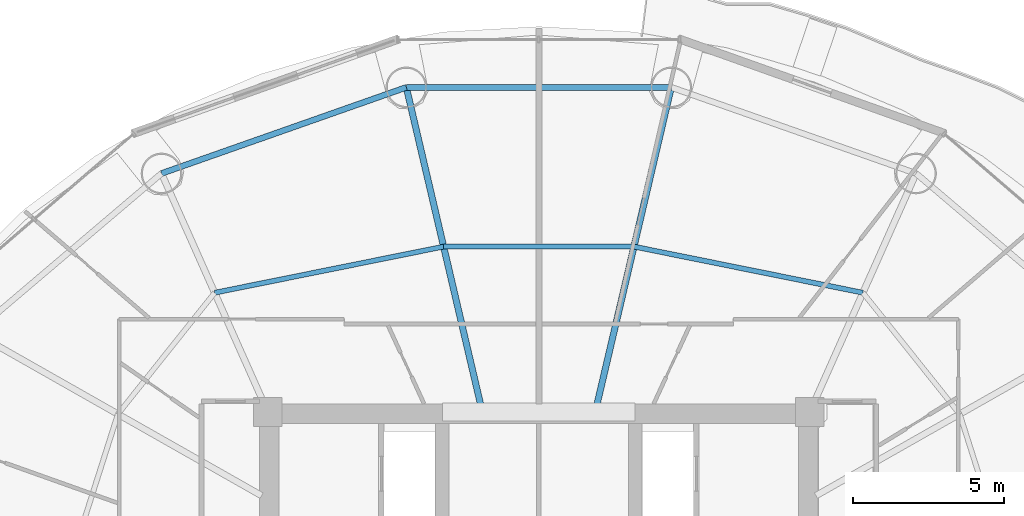
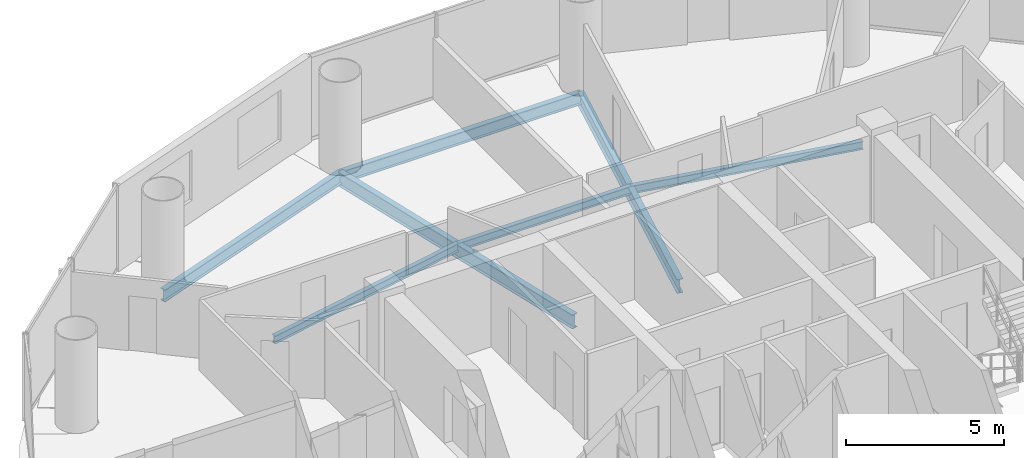
# One storey, part 15 of 26: 7 beams.
"""IFC4 building model written with IfcOpenShell, lengths in metres."""

from ifc_helpers import new_model, si_unit, direction, frame, origin, origin_2d, place, context, subcontext, project, spatial, i_section, extrude, material, material_profile, profile_set, type_object, element, save


model = new_model("IFC4")

# Units and contexts
model_context = context("Model", 3, precision=1e-05, world=origin(), true_north=direction((-0.2419218956, 0.970295726276)))
body_context = subcontext(model_context, "Body", "Model", "MODEL_VIEW")
ifc_project = project(units=[si_unit("LENGTHUNIT", "METRE"), si_unit("AREAUNIT", "SQUARE_METRE"), si_unit("VOLUMEUNIT", "CUBIC_METRE"), si_unit("PLANEANGLEUNIT", "RADIAN"), si_unit("MASSUNIT", "GRAM", prefix="KILO")], contexts=[model_context])

# Site, building, storey
site_placement = place(None, origin())
site = spatial("IfcSite", under=ifc_project, at=site_placement, CompositionType="ELEMENT")
building_placement = place(site_placement, origin())
building = spatial("IfcBuilding", under=site, at=building_placement, Name="Cobrevalo Terracotta Tower", CompositionType="ELEMENT")
storey_placement = place(building_placement, frame((0.0, 0.0, 135.39990234375)))
storey = spatial("IfcBuildingStorey", under=building, at=storey_placement, Name="L35", CompositionType="ELEMENT", Elevation=135.39990234375)

# Beams
ifc_material = material(Name="Steel S355", Category="steel")
ifc_material_profile_1 = material_profile(ifc_material, i_section(OverallWidth=0.2109375, OverallDepth=0.5390625, WebThickness=0.01171875, FlangeThickness=0.018798828125, at=origin_2d()), Name="W 530x109")
ifc_profile_set_1 = profile_set([ifc_material_profile_1], Name="Steel S355")
beam_type_1 = type_object("IfcBeamType", Name="Structural Beam W 530x109 (Steel S355)", PredefinedType="BEAM", material=ifc_profile_set_1)
for number, where, z_axis, x_axis, name in (
    (1, (42.399169921875, 45.58203125, -0.539306640625), (-0.228040864186, -0.973651562039, 0.0), (0.973651562039, -0.228040864186, 0.0), "L35 radial floor girder 04"),
    (2, (33.600830078125, 45.58203125, -0.539306640625), (0.228040864186, -0.973651562039, 0.0), (0.973651562039, 0.228040864186, 0.0), "L35 radial floor girder 05"),
):
    element("IfcBeam", number, at=place(storey_placement, frame(where, z_axis=z_axis, x_axis=x_axis)), inside=storey, type_object=beam_type_1, Name=name, PredefinedType="BEAM", context=body_context, shape_type="SweptSolid", body=[
        extrude(i_section(OverallWidth=0.2109375, OverallDepth=0.5390625, WebThickness=0.01171875, FlangeThickness=0.018798828125, at=origin_2d()), origin(), (0.0, 0.0, 1.0), 10.86328125),
    ])
ifc_material_profile_2 = material_profile(ifc_material, i_section(OverallWidth=0.1650390625, OverallDepth=0.31005859375, WebThickness=0.005859375, FlangeThickness=0.009765625, at=origin_2d()), Name="W 310x38.7")
ifc_profile_set_2 = profile_set([ifc_material_profile_2], Name="Steel S355")
beam_type_2 = type_object("IfcBeamType", Name="Structural Joist W 310x38.7 (Steel S355)", PredefinedType="JOIST", material=ifc_profile_set_2)
beam_1_placement = place(storey_placement, frame((48.76416015625, 38.76123046875, -0.4248046875), z_axis=(-0.980293928329, 0.197544461026, 0.0), x_axis=(-0.197544461026, -0.980293928329, 0.0)))
element("IfcBeam", 3, at=beam_1_placement, inside=storey, type_object=beam_type_2, Name="L35 circumferential secondary floor joist 03", PredefinedType="JOIST", context=body_context, shape_type="SweptSolid", body=[
    extrude(i_section(OverallWidth=0.1650390625, OverallDepth=0.31005859375, WebThickness=0.005859375, FlangeThickness=0.009765625, at=origin_2d()), origin(), (0.0, 0.0, 1.0), 7.75634765625),
])
beam_2_placement = place(storey_placement, frame((41.16064453125, 40.29345703125, -0.4248046875), z_axis=(-1.0, 0.0, 0.0), x_axis=(0.0, -1.0, 0.0)))
element("IfcBeam", 4, at=beam_2_placement, inside=storey, type_object=beam_type_2, Name="L35 circumferential secondary floor joist 04", PredefinedType="JOIST", context=body_context, shape_type="SweptSolid", body=[
    extrude(i_section(OverallWidth=0.1650390625, OverallDepth=0.31005859375, WebThickness=0.005859375, FlangeThickness=0.009765625, at=origin_2d()), origin(), (0.0, 0.0, 1.0), 6.3212890625),
])
beam_3_placement = place(storey_placement, frame((34.83935546875, 40.29345703125, -0.4248046875), z_axis=(-0.980293928329, -0.197544461026, 0.0), x_axis=(0.197544461026, -0.980293928329, 0.0)))
element("IfcBeam", 5, at=beam_3_placement, inside=storey, type_object=beam_type_2, Name="L35 circumferential secondary floor joist 05", PredefinedType="JOIST", context=body_context, shape_type="SweptSolid", body=[
    extrude(i_section(OverallWidth=0.1650390625, OverallDepth=0.31005859375, WebThickness=0.005859375, FlangeThickness=0.009765625, at=origin_2d()), origin(), (0.0, 0.0, 1.0), 7.75634765625),
])
ifc_material_profile_3 = material_profile(ifc_material, i_section(OverallWidth=0.194091796875, OverallDepth=0.468994140625, WebThickness=0.011474609375, FlangeThickness=0.0205078125, at=origin_2d()), Name="W 460x106")
ifc_profile_set_3 = profile_set([ifc_material_profile_3], Name="Steel S355")
beam_type_3 = type_object("IfcBeamType", Name="Structural Spandrel W 460x106 (Steel S355)", PredefinedType="SPANDREL", material=ifc_profile_set_3)
beam_4_placement = place(storey_placement, frame((42.399169921875, 45.58203125, -0.50439453125), z_axis=(-1.0, 0.0, 0.0), x_axis=(0.0, -1.0, 0.0)))
element("IfcBeam", 6, at=beam_4_placement, inside=storey, type_object=beam_type_3, Name="L35 perimeter ring spandrel 04", PredefinedType="SPANDREL", context=body_context, shape_type="SweptSolid", body=[
    extrude(i_section(OverallWidth=0.194091796875, OverallDepth=0.468994140625, WebThickness=0.011474609375, FlangeThickness=0.0205078125, at=origin_2d()), origin(), (0.0, 0.0, 1.0), 8.79833984375),
])
beam_5_placement = place(storey_placement, frame((33.600830078125, 45.58203125, -0.50439453125), z_axis=(-0.943341298492, -0.331824041565, 0.0), x_axis=(0.331824041565, -0.943341298492, 0.0)))
element("IfcBeam", 7, at=beam_5_placement, inside=storey, type_object=beam_type_3, Name="L35 perimeter ring spandrel 05", PredefinedType="SPANDREL", context=body_context, shape_type="SweptSolid", body=[
    extrude(i_section(OverallWidth=0.194091796875, OverallDepth=0.468994140625, WebThickness=0.011474609375, FlangeThickness=0.0205078125, at=origin_2d()), origin(), (0.0, 0.0, 1.0), 8.6171875),
])

save(model, "model.ifc")
